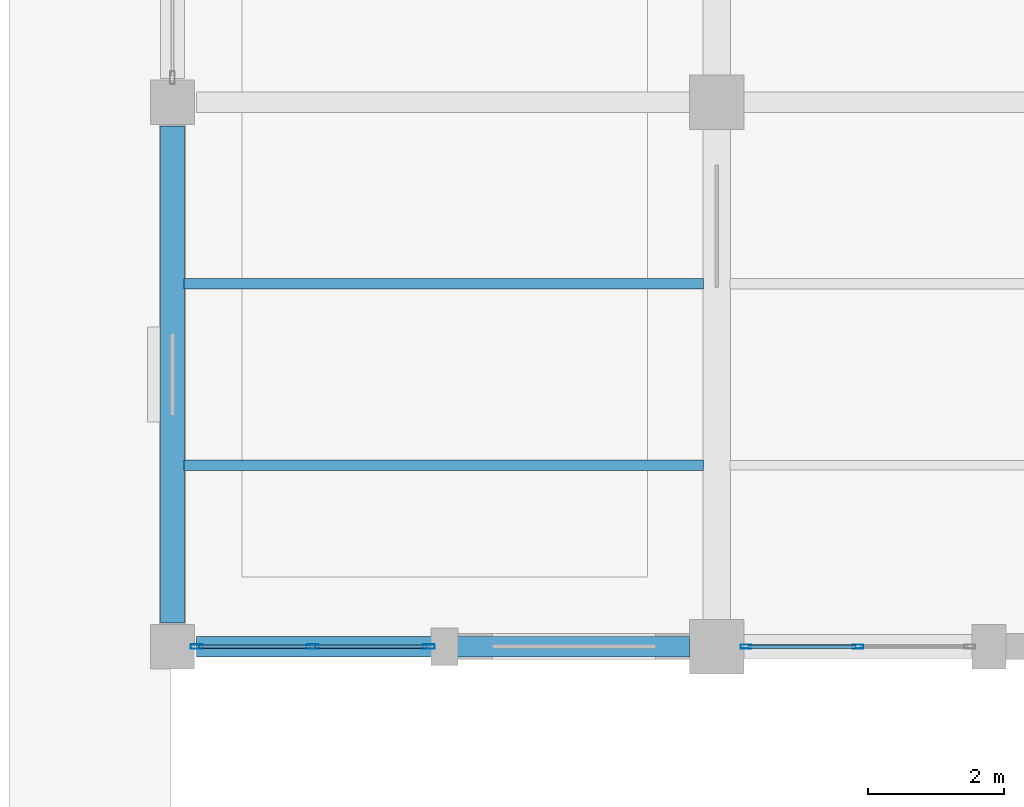
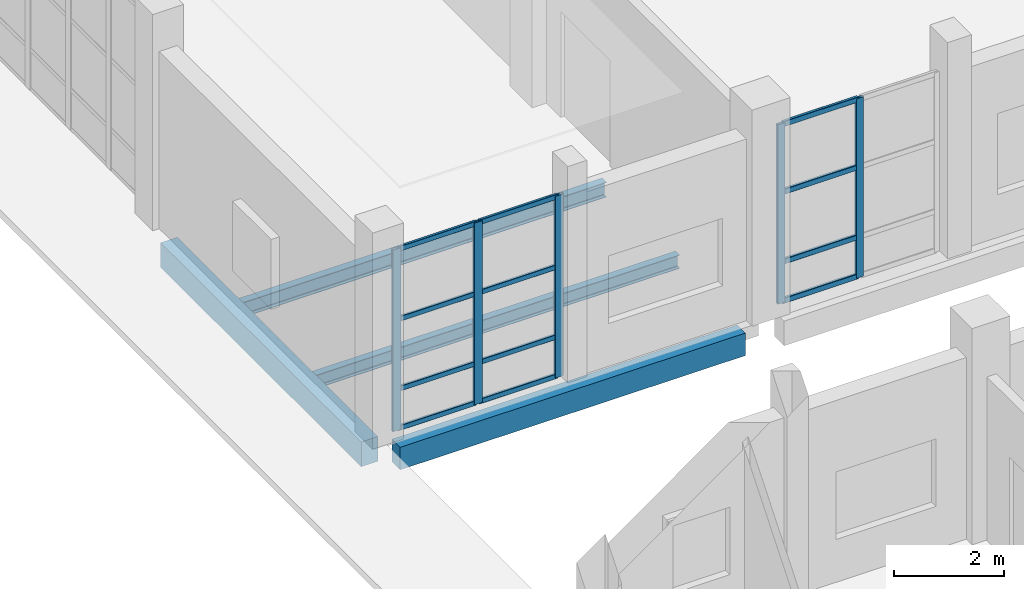
# One storey, part 80 of 156: 17 members, 4 beams, 2 elements without a shape of their own.
"""IFC4 building model written with IfcOpenShell, lengths in metres."""

from ifc_helpers import new_model, si_unit, direction, frame, origin, origin_2d, place, context, subcontext, project, spatial, rectangle, hollow_rectangle, i_section, extrude, material, material_profile, profile_set, type_object, element, aggregate, save


model = new_model("IFC4")

# Units and contexts
model_context = context("Model", 3, precision=1e-05, world=origin(), true_north=direction((0.0, 1.0)))
body_context = subcontext(model_context, "Body", "Model", "MODEL_VIEW")
ifc_project = project(units=[si_unit("LENGTHUNIT", "METRE"), si_unit("AREAUNIT", "SQUARE_METRE"), si_unit("VOLUMEUNIT", "CUBIC_METRE"), si_unit("PLANEANGLEUNIT", "RADIAN"), si_unit("MASSUNIT", "GRAM", prefix="KILO")], contexts=[model_context])

# Site, building, storey
site_placement = place(None, origin())
site = spatial("IfcSite", under=ifc_project, at=site_placement, CompositionType="ELEMENT")
building_placement = place(site_placement, origin())
building = spatial("IfcBuilding", under=site, at=building_placement, Name="Luwemba Playhouse", CompositionType="ELEMENT")
storey_placement = place(building_placement, origin())
storey = spatial("IfcBuildingStorey", under=building, at=storey_placement, Name="L00", CompositionType="ELEMENT", Elevation=0.0)

# Beams
ifc_material_1 = material(Name="Steel S355", Category="steel")
ifc_material_profile_1 = material_profile(ifc_material_1, i_section(OverallWidth=0.14990234375, OverallDepth=0.300048828125, WebThickness=0.007080078125, FlangeThickness=0.0107421875, FilletRadius=0.014892578125, at=origin_2d()))
ifc_profile_set_1 = profile_set([ifc_material_profile_1], Name="Steel S355")
beam_type_1 = type_object("IfcBeamType", Name="BM-SJ05", PredefinedType="JOIST", material=ifc_profile_set_1)
beam_1_placement = place(storey_placement, frame((132.1708984375, 70.666748046875, -0.449951171875), z_axis=(1.0, 0.0, 0.0), x_axis=(0.0, 1.0, 0.0)))
element("IfcBeam", 1, at=beam_1_placement, inside=storey, type_object=beam_type_1, Name="L00 composite floor joist 0097", PredefinedType="JOIST", context=body_context, shape_type="SweptSolid", body=[
    extrude(i_section(OverallWidth=0.14990234375, OverallDepth=0.300048828125, WebThickness=0.007080078125, FlangeThickness=0.0107421875, FilletRadius=0.014892578125, at=origin_2d()), origin(), (0.0, 0.0, 1.0), 7.633056640625),
])
ifc_material_profile_2 = material_profile(ifc_material_1, i_section(OverallWidth=0.159912109375, OverallDepth=0.330078125, WebThickness=0.007568359375, FlangeThickness=0.011474609375, FilletRadius=0.01806640625, at=origin_2d()))
ifc_profile_set_2 = profile_set([ifc_material_profile_2], Name="Steel S355")
beam_type_2 = type_object("IfcBeamType", Name="BM-SJ06", PredefinedType="JOIST", material=ifc_profile_set_2)
beam_2_placement = place(storey_placement, frame((132.1708984375, 73.333251953125, -0.465087890625), z_axis=(1.0, 0.0, 0.0), x_axis=(0.0, 1.0, 0.0)))
element("IfcBeam", 2, at=beam_2_placement, inside=storey, type_object=beam_type_2, Name="L00 composite floor joist 0098", PredefinedType="JOIST", context=body_context, shape_type="SweptSolid", body=[
    extrude(i_section(OverallWidth=0.159912109375, OverallDepth=0.330078125, WebThickness=0.007568359375, FlangeThickness=0.011474609375, FilletRadius=0.01806640625, at=origin_2d()), origin(), (0.0, 0.0, 1.0), 7.633056640625),
])
ifc_material_2 = material(Name="Concrete C40/50", Category="concrete")
ifc_material_profile_3 = material_profile(ifc_material_2, rectangle(XDim=0.300048828125, YDim=0.5, at=origin_2d()))
ifc_profile_set_3 = profile_set([ifc_material_profile_3], Name="Concrete C40/50")
beam_type_3 = type_object("IfcBeamType", Name="BM-SP1", PredefinedType="SPANDREL", material=ifc_profile_set_3)
beam_3_placement = place(storey_placement, frame((132.35009765625, 68.0, -0.550048828125), z_axis=(1.0, 0.0, 0.0), x_axis=(0.0, 1.0, 0.0)))
element("IfcBeam", 3, at=beam_3_placement, inside=storey, type_object=beam_type_3, Name="L00 grid girder 0112", PredefinedType="SPANDREL", context=body_context, shape_type="SweptSolid", body=[
    extrude(rectangle(XDim=0.300048828125, YDim=0.5, at=origin_2d()), origin(), (0.0, 0.0, 1.0), 7.25),
])
ifc_material_profile_4 = material_profile(ifc_material_2, rectangle(XDim=0.35009765625, YDim=0.550048828125, at=origin_2d()))
ifc_profile_set_4 = profile_set([ifc_material_profile_4], Name="Concrete C40/50")
beam_type_4 = type_object("IfcBeamType", Name="BM-SP2", PredefinedType="SPANDREL", material=ifc_profile_set_4)
beam_4_placement = place(storey_placement, frame((132.0, 68.35009765625, -0.574951171875), z_axis=(0.0, 1.0, 0.0), x_axis=(-1.0, 0.0, 0.0)))
element("IfcBeam", 4, at=beam_4_placement, inside=storey, type_object=beam_type_4, Name="L00 transverse girder 0132", PredefinedType="SPANDREL", context=body_context, shape_type="SweptSolid", body=[
    extrude(rectangle(XDim=0.35009765625, YDim=0.550048828125, at=origin_2d()), origin(), (0.0, 0.0, 1.0), 7.2998046875),
])

# Curtain wall, members
ifc_material_3 = material(Name="Solar-control double glazing", Category="glass")
curtain_wall_type_1 = type_object("IfcCurtainWallType", Name="CW-CW22", PredefinedType="USERDEFINED", material=ifc_material_3)
curtain_wall_1_placement = place(storey_placement, origin())
curtain_wall_1 = element("IfcCurtainWall", 5, at=curtain_wall_1_placement, inside=storey, type_object=curtain_wall_type_1, Name="L00 V4 unitised curtain wall 023", ObjectType="UNITISED GLAZING", PredefinedType="USERDEFINED")
ifc_material_4 = material(Name="Aluminium 6063-T6", Category="aluminium")
ifc_material_profile_5 = material_profile(ifc_material_4, hollow_rectangle(XDim=0.06005859375, YDim=0.159912109375, WallThickness=0.00390625, InnerFilletRadius=0.006103515625, OuterFilletRadius=0.010009765625, at=origin_2d()))
ifc_profile_set_5 = profile_set([ifc_material_profile_5], Name="Aluminium 6063-T6")
member_type_1 = type_object("IfcMemberType", Name="CWM-M1", PredefinedType="MULLION", material=ifc_profile_set_5)
member_1_placement = place(storey_placement, frame((142.074951171875, 68.0, 0.0), z_axis=(0.0, 0.0, 1.0), x_axis=(0.0, -1.0, 0.0)))
member_1 = element("IfcMember", 6, at=member_1_placement, type_object=member_type_1, Name="CW22 mullion 2", PredefinedType="MULLION", context=body_context, shape_type="SweptSolid", body=[
    extrude(hollow_rectangle(XDim=0.06005859375, YDim=0.159912109375, WallThickness=0.00390625, InnerFilletRadius=0.006103515625, OuterFilletRadius=0.010009765625, at=origin_2d()), origin(), (0.0, 0.0, 1.0), 3.985107421875),
])
member_2_placement = place(storey_placement, frame((140.429931640625, 68.0, 0.0), z_axis=(0.0, 0.0, 1.0), x_axis=(0.0, -1.0, 0.0)))
member_2 = element("IfcMember", 7, at=member_2_placement, type_object=member_type_1, Name="CW22 mullion 3", PredefinedType="MULLION", context=body_context, shape_type="SweptSolid", body=[
    extrude(hollow_rectangle(XDim=0.06005859375, YDim=0.159912109375, WallThickness=0.00390625, InnerFilletRadius=0.006103515625, OuterFilletRadius=0.010009765625, at=origin_2d()), origin(), (0.0, 0.0, 1.0), 3.985107421875),
])

curtain_wall_type_2 = type_object("IfcCurtainWallType", Name="CW-CW08", PredefinedType="USERDEFINED", material=ifc_material_3)
curtain_wall_2_placement = place(storey_placement, origin())
curtain_wall_2 = element("IfcCurtainWall", 8, at=curtain_wall_2_placement, inside=storey, type_object=curtain_wall_type_2, Name="L00 V4 unitised curtain wall 024", ObjectType="UNITISED GLAZING", PredefinedType="USERDEFINED")
ifc_material_profile_6 = material_profile(ifc_material_4, hollow_rectangle(XDim=0.06494140625, YDim=0.179931640625, WallThickness=0.00439453125, InnerFilletRadius=0.0068359375, OuterFilletRadius=0.01123046875, at=origin_2d()))
ifc_profile_set_6 = profile_set([ifc_material_profile_6], Name="Aluminium 6063-T6")
member_type_2 = type_object("IfcMemberType", Name="CWM-M2", PredefinedType="MULLION", material=ifc_profile_set_6)
member_3_placement = place(storey_placement, frame((135.767578125, 68.0, 0.0), z_axis=(0.0, 0.0, 1.0), x_axis=(0.0, -1.0, 0.0)))
member_3 = element("IfcMember", 9, at=member_3_placement, type_object=member_type_2, Name="CW08 mullion 1", PredefinedType="MULLION", context=body_context, shape_type="SweptSolid", body=[
    extrude(hollow_rectangle(XDim=0.06494140625, YDim=0.179931640625, WallThickness=0.00439453125, InnerFilletRadius=0.0068359375, OuterFilletRadius=0.01123046875, at=origin_2d()), origin(), (0.0, 0.0, 1.0), 4.034912109375),
])
member_4_placement = place(storey_placement, frame((134.0625, 68.0, 0.0), z_axis=(0.0, 0.0, 1.0), x_axis=(0.0, -1.0, 0.0)))
member_4 = element("IfcMember", 10, at=member_4_placement, type_object=member_type_2, Name="CW08 mullion 2", PredefinedType="MULLION", context=body_context, shape_type="SweptSolid", body=[
    extrude(hollow_rectangle(XDim=0.06494140625, YDim=0.179931640625, WallThickness=0.00439453125, InnerFilletRadius=0.0068359375, OuterFilletRadius=0.01123046875, at=origin_2d()), origin(), (0.0, 0.0, 1.0), 4.034912109375),
])
member_5_placement = place(storey_placement, frame((132.357421875, 68.0, 0.0), z_axis=(0.0, 0.0, 1.0), x_axis=(0.0, -1.0, 0.0)))
member_5 = element("IfcMember", 11, at=member_5_placement, type_object=member_type_2, Name="CW08 mullion 3", PredefinedType="MULLION", context=body_context, shape_type="SweptSolid", body=[
    extrude(hollow_rectangle(XDim=0.06494140625, YDim=0.179931640625, WallThickness=0.00439453125, InnerFilletRadius=0.0068359375, OuterFilletRadius=0.01123046875, at=origin_2d()), origin(), (0.0, 0.0, 1.0), 4.034912109375),
])

# Member
ifc_material_profile_7 = material_profile(ifc_material_4, hollow_rectangle(XDim=0.06005859375, YDim=0.1201171875, WallThickness=0.00390625, InnerFilletRadius=0.006103515625, OuterFilletRadius=0.010009765625, at=origin_2d()))
ifc_profile_set_7 = profile_set([ifc_material_profile_7], Name="Aluminium 6063-T6")
member_type_3 = type_object("IfcMemberType", Name="CWT-T1", PredefinedType="USERDEFINED", material=ifc_profile_set_7)
member_6_placement = place(storey_placement, frame((142.044921875, 68.0, 0.030029296875), z_axis=(-1.0, 0.0, 0.0), x_axis=(0.0, -1.0, 0.0)))
member_6 = element("IfcMember", 12, at=member_6_placement, type_object=member_type_3, Name="CW22 transom 2.1", ObjectType="TRANSOM", PredefinedType="USERDEFINED", context=body_context, shape_type="SweptSolid", body=[
    extrude(hollow_rectangle(XDim=0.06005859375, YDim=0.1201171875, WallThickness=0.00390625, InnerFilletRadius=0.006103515625, OuterFilletRadius=0.010009765625, at=origin_2d()), origin(), (0.0, 0.0, 1.0), 1.5849609375),
])

member_7_placement = place(storey_placement, frame((142.044921875, 68.0, 0.89990234375), z_axis=(-1.0, 0.0, 0.0), x_axis=(0.0, -1.0, 0.0)))
member_7 = element("IfcMember", 13, at=member_7_placement, type_object=member_type_3, Name="CW22 transom 2.2", ObjectType="TRANSOM", PredefinedType="USERDEFINED", context=body_context, shape_type="SweptSolid", body=[
    extrude(hollow_rectangle(XDim=0.06005859375, YDim=0.1201171875, WallThickness=0.00390625, InnerFilletRadius=0.006103515625, OuterFilletRadius=0.010009765625, at=origin_2d()), origin(), (0.0, 0.0, 1.0), 1.5849609375),
])

member_8_placement = place(storey_placement, frame((142.044921875, 68.0, 2.449951171875), z_axis=(-1.0, 0.0, 0.0), x_axis=(0.0, -1.0, 0.0)))
member_8 = element("IfcMember", 14, at=member_8_placement, type_object=member_type_3, Name="CW22 transom 2.3", ObjectType="TRANSOM", PredefinedType="USERDEFINED", context=body_context, shape_type="SweptSolid", body=[
    extrude(hollow_rectangle(XDim=0.06005859375, YDim=0.1201171875, WallThickness=0.00390625, InnerFilletRadius=0.006103515625, OuterFilletRadius=0.010009765625, at=origin_2d()), origin(), (0.0, 0.0, 1.0), 1.5849609375),
])

member_9_placement = place(storey_placement, frame((142.044921875, 68.0, 3.955078125), z_axis=(-1.0, 0.0, 0.0), x_axis=(0.0, -1.0, 0.0)))
member_9 = element("IfcMember", 15, at=member_9_placement, type_object=member_type_3, Name="CW22 transom 2.4", ObjectType="TRANSOM", PredefinedType="USERDEFINED", context=body_context, shape_type="SweptSolid", body=[
    extrude(hollow_rectangle(XDim=0.06005859375, YDim=0.1201171875, WallThickness=0.00390625, InnerFilletRadius=0.006103515625, OuterFilletRadius=0.010009765625, at=origin_2d()), origin(), (0.0, 0.0, 1.0), 1.5849609375),
])

aggregate(curtain_wall_1, [member_1, member_2, member_6, member_7, member_8, member_9])

ifc_material_profile_8 = material_profile(ifc_material_4, hollow_rectangle(XDim=0.054931640625, YDim=0.110107421875, WallThickness=0.00341796875, InnerFilletRadius=0.00537109375, OuterFilletRadius=0.0087890625, at=origin_2d()))
ifc_profile_set_8 = profile_set([ifc_material_profile_8], Name="Aluminium 6063-T6")
member_type_4 = type_object("IfcMemberType", Name="CWT-T2", PredefinedType="USERDEFINED", material=ifc_profile_set_8)
member_10_placement = place(storey_placement, frame((135.735107421875, 68.0, 0.027587890625), z_axis=(-1.0, 0.0, 0.0), x_axis=(0.0, -1.0, 0.0)))
member_10 = element("IfcMember", 16, at=member_10_placement, type_object=member_type_4, Name="CW08 transom 1.1", ObjectType="TRANSOM", PredefinedType="USERDEFINED", context=body_context, shape_type="SweptSolid", body=[
    extrude(hollow_rectangle(XDim=0.054931640625, YDim=0.110107421875, WallThickness=0.00341796875, InnerFilletRadius=0.00537109375, OuterFilletRadius=0.0087890625, at=origin_2d()), origin(), (0.0, 0.0, 1.0), 1.64013671875),
])

member_11_placement = place(storey_placement, frame((135.735107421875, 68.0, 0.89990234375), z_axis=(-1.0, 0.0, 0.0), x_axis=(0.0, -1.0, 0.0)))
member_11 = element("IfcMember", 17, at=member_11_placement, type_object=member_type_4, Name="CW08 transom 1.2", ObjectType="TRANSOM", PredefinedType="USERDEFINED", context=body_context, shape_type="SweptSolid", body=[
    extrude(hollow_rectangle(XDim=0.054931640625, YDim=0.110107421875, WallThickness=0.00341796875, InnerFilletRadius=0.00537109375, OuterFilletRadius=0.0087890625, at=origin_2d()), origin(), (0.0, 0.0, 1.0), 1.64013671875),
])

member_12_placement = place(storey_placement, frame((135.735107421875, 68.0, 2.449951171875), z_axis=(-1.0, 0.0, 0.0), x_axis=(0.0, -1.0, 0.0)))
member_12 = element("IfcMember", 18, at=member_12_placement, type_object=member_type_4, Name="CW08 transom 1.3", ObjectType="TRANSOM", PredefinedType="USERDEFINED", context=body_context, shape_type="SweptSolid", body=[
    extrude(hollow_rectangle(XDim=0.054931640625, YDim=0.110107421875, WallThickness=0.00341796875, InnerFilletRadius=0.00537109375, OuterFilletRadius=0.0087890625, at=origin_2d()), origin(), (0.0, 0.0, 1.0), 1.64013671875),
])

member_13_placement = place(storey_placement, frame((135.735107421875, 68.0, 4.007568359375), z_axis=(-1.0, 0.0, 0.0), x_axis=(0.0, -1.0, 0.0)))
member_13 = element("IfcMember", 19, at=member_13_placement, type_object=member_type_4, Name="CW08 transom 1.4", ObjectType="TRANSOM", PredefinedType="USERDEFINED", context=body_context, shape_type="SweptSolid", body=[
    extrude(hollow_rectangle(XDim=0.054931640625, YDim=0.110107421875, WallThickness=0.00341796875, InnerFilletRadius=0.00537109375, OuterFilletRadius=0.0087890625, at=origin_2d()), origin(), (0.0, 0.0, 1.0), 1.64013671875),
])

member_14_placement = place(storey_placement, frame((134.030029296875, 68.0, 0.027587890625), z_axis=(-1.0, 0.0, 0.0), x_axis=(0.0, -1.0, 0.0)))
member_14 = element("IfcMember", 20, at=member_14_placement, type_object=member_type_4, Name="CW08 transom 2.1", ObjectType="TRANSOM", PredefinedType="USERDEFINED", context=body_context, shape_type="SweptSolid", body=[
    extrude(hollow_rectangle(XDim=0.054931640625, YDim=0.110107421875, WallThickness=0.00341796875, InnerFilletRadius=0.00537109375, OuterFilletRadius=0.0087890625, at=origin_2d()), origin(), (0.0, 0.0, 1.0), 1.64013671875),
])

member_15_placement = place(storey_placement, frame((134.030029296875, 68.0, 0.89990234375), z_axis=(-1.0, 0.0, 0.0), x_axis=(0.0, -1.0, 0.0)))
member_15 = element("IfcMember", 21, at=member_15_placement, type_object=member_type_4, Name="CW08 transom 2.2", ObjectType="TRANSOM", PredefinedType="USERDEFINED", context=body_context, shape_type="SweptSolid", body=[
    extrude(hollow_rectangle(XDim=0.054931640625, YDim=0.110107421875, WallThickness=0.00341796875, InnerFilletRadius=0.00537109375, OuterFilletRadius=0.0087890625, at=origin_2d()), origin(), (0.0, 0.0, 1.0), 1.64013671875),
])

member_16_placement = place(storey_placement, frame((134.030029296875, 68.0, 2.449951171875), z_axis=(-1.0, 0.0, 0.0), x_axis=(0.0, -1.0, 0.0)))
member_16 = element("IfcMember", 22, at=member_16_placement, type_object=member_type_4, Name="CW08 transom 2.3", ObjectType="TRANSOM", PredefinedType="USERDEFINED", context=body_context, shape_type="SweptSolid", body=[
    extrude(hollow_rectangle(XDim=0.054931640625, YDim=0.110107421875, WallThickness=0.00341796875, InnerFilletRadius=0.00537109375, OuterFilletRadius=0.0087890625, at=origin_2d()), origin(), (0.0, 0.0, 1.0), 1.64013671875),
])

member_17_placement = place(storey_placement, frame((134.030029296875, 68.0, 4.007568359375), z_axis=(-1.0, 0.0, 0.0), x_axis=(0.0, -1.0, 0.0)))
member_17 = element("IfcMember", 23, at=member_17_placement, type_object=member_type_4, Name="CW08 transom 2.4", ObjectType="TRANSOM", PredefinedType="USERDEFINED", context=body_context, shape_type="SweptSolid", body=[
    extrude(hollow_rectangle(XDim=0.054931640625, YDim=0.110107421875, WallThickness=0.00341796875, InnerFilletRadius=0.00537109375, OuterFilletRadius=0.0087890625, at=origin_2d()), origin(), (0.0, 0.0, 1.0), 1.64013671875),
])

aggregate(curtain_wall_2, [member_3, member_4, member_5, member_10, member_11, member_12, member_13, member_14, member_15, member_16, member_17])

save(model, "model.ifc")
